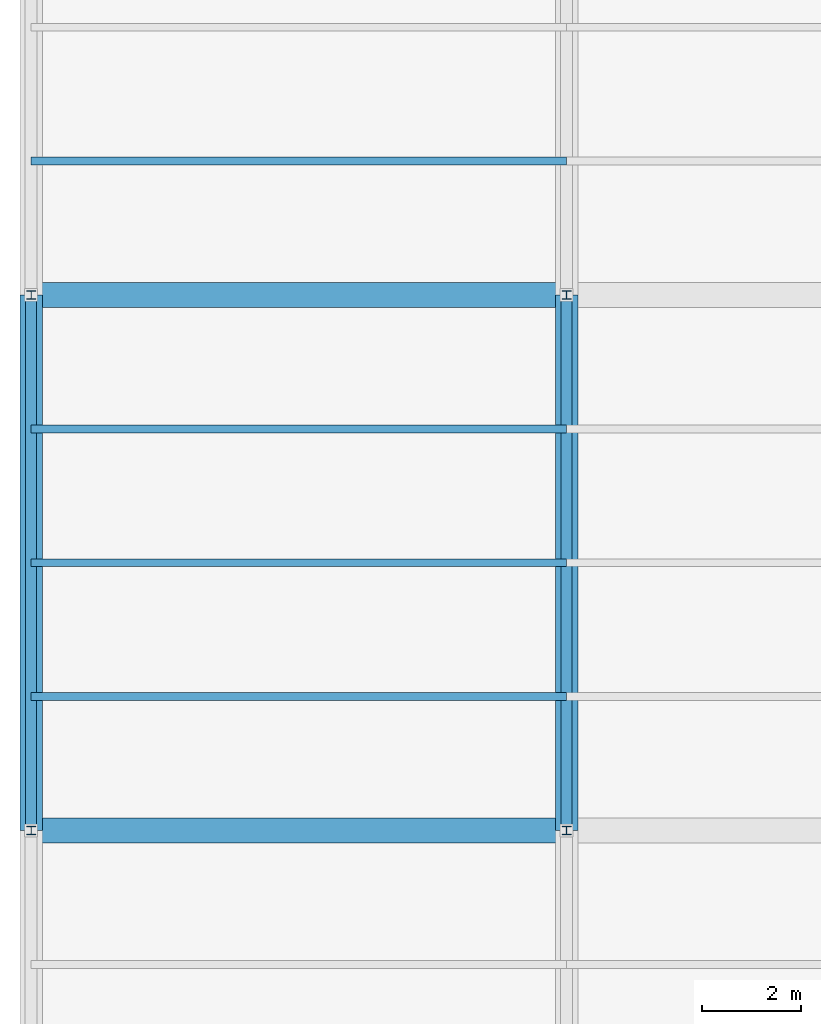
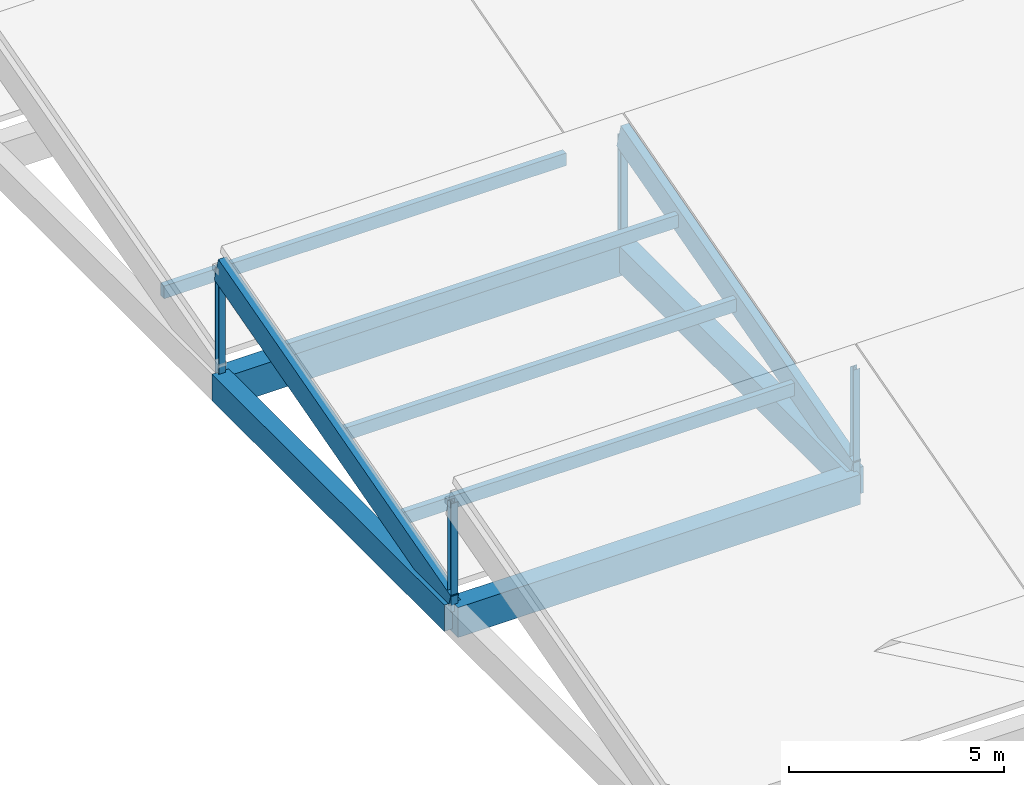
# One storey, part 18 of 112: 10 members, 4 beams.
"""IFC4 building model written with IfcOpenShell, lengths in metres."""

from ifc_helpers import new_model, si_unit, direction, frame, origin, origin_2d, place, context, subcontext, project, spatial, rectangle, i_section, extrude, material, material_profile, profile_set, type_object, element, save


model = new_model("IFC4")

# Units and contexts
model_context = context("Model", 3, precision=1e-05, world=origin(), true_north=direction((0.0, 1.0)))
body_context = subcontext(model_context, "Body", "Model", "MODEL_VIEW")
ifc_project = project(units=[si_unit("LENGTHUNIT", "METRE"), si_unit("AREAUNIT", "SQUARE_METRE"), si_unit("VOLUMEUNIT", "CUBIC_METRE"), si_unit("PLANEANGLEUNIT", "RADIAN"), si_unit("MASSUNIT", "GRAM", prefix="KILO")], contexts=[model_context])

# Site, building, storey
site_placement = place(None, origin())
site = spatial("IfcSite", under=ifc_project, at=site_placement, CompositionType="ELEMENT")
building_placement = place(site_placement, origin())
building = spatial("IfcBuilding", under=site, at=building_placement, Name="Zwinboog Wholesale Market", CompositionType="ELEMENT")
storey_placement = place(building_placement, frame((0.0, 0.0, 19.080078125)))
storey = spatial("IfcBuildingStorey", under=building, at=storey_placement, Name="Roof", CompositionType="ELEMENT", Elevation=19.080078125)

# Beams
ifc_material_1 = material(Name="Precast concrete C45/55", Category="concrete")
ifc_material_profile_1 = material_profile(ifc_material_1, rectangle(XDim=0.5, YDim=0.85009765625, at=origin_2d()), Name="PC 500x850")
ifc_profile_set_1 = profile_set([ifc_material_profile_1], Name="Precast concrete C45/55")
beam_type_1 = type_object("IfcBeamType", Name="BT-03", PredefinedType="BEAM", material=ifc_profile_set_1)
for number, where, z_axis, x_axis, name in (
    (1, (0.0, 64.800048828125, -9.425048828125), (1.0, 0.0, 0.0), (0.0, 1.0, 0.0), "BG-03 (BMG-Roof-0000-0648-1171)"),
    (2, (0.0, 75.60009765625, -9.425048828125), (1.0, 0.0, 0.0), (0.0, 1.0, 0.0), "BG-03 (BMG-Roof-0000-0756-1175)"),
):
    element("IfcBeam", number, at=place(storey_placement, frame(where, z_axis=z_axis, x_axis=x_axis)), inside=storey, type_object=beam_type_1, Name=name, PredefinedType="BEAM", context=body_context, shape_type="SweptSolid", body=[
        extrude(rectangle(XDim=0.5, YDim=0.85009765625, at=origin_2d()), origin(), (0.0, 0.0, 1.0), 10.800048828125),
    ])
ifc_material_profile_2 = material_profile(ifc_material_1, rectangle(XDim=0.449951171875, YDim=0.75, at=origin_2d()), Name="PC 450x750")
ifc_profile_set_2 = profile_set([ifc_material_profile_2], Name="Precast concrete C45/55")
beam_type_2 = type_object("IfcBeamType", Name="BT-04", PredefinedType="BEAM", material=ifc_profile_set_2)
for number, where, z_axis, x_axis, name in (
    (3, (0.0, 64.800048828125, -9.375), (0.0, 1.0, 0.0), (-1.0, 0.0, 0.0), "BG-04 (BMG-Roof-0000-0648-1207)"),
    (4, (10.800048828125, 64.800048828125, -9.375), (0.0, 1.0, 0.0), (-1.0, 0.0, 0.0), "BG-04 (BMG-Roof-0108-0648-1217)"),
):
    element("IfcBeam", number, at=place(storey_placement, frame(where, z_axis=z_axis, x_axis=x_axis)), inside=storey, type_object=beam_type_2, Name=name, PredefinedType="BEAM", context=body_context, shape_type="SweptSolid", body=[
        extrude(rectangle(XDim=0.449951171875, YDim=0.75, at=origin_2d()), origin(), (0.0, 0.0, 1.0), 10.800048828125),
    ])

# Members
ifc_material_2 = material(Name="Steel S355", Category="steel")
ifc_material_profile_3 = material_profile(ifc_material_2, i_section(OverallWidth=0.179931640625, OverallDepth=0.1708984375, WebThickness=0.006103515625, FlangeThickness=0.009521484375, FilletRadius=0.014892578125, at=origin_2d()), Name="HEA 180")
ifc_profile_set_3 = profile_set([ifc_material_profile_3], Name="Steel S355")
member_type_1 = type_object("IfcMemberType", Name="MT-07", PredefinedType="BRACE", material=ifc_profile_set_3)
member_1_placement = place(storey_placement, frame((0.0, 64.800048828125, -9.2001953125), z_axis=(0.0, 0.0, 1.0), x_axis=(1.0, 0.0, 0.0)))
element("IfcMember", 5, at=member_1_placement, inside=storey, type_object=member_type_1, Name="DB-04 (MEM-Roof-0756)", PredefinedType="BRACE", context=body_context, shape_type="SweptSolid", body=[
    extrude(i_section(OverallWidth=0.179931640625, OverallDepth=0.1708984375, WebThickness=0.006103515625, FlangeThickness=0.009521484375, FilletRadius=0.014892578125, at=origin_2d()), origin(), (0.0, 0.0, 1.0), 3.074462890625),
])
member_2_placement = place(storey_placement, frame((10.800048828125, 64.800048828125, -9.2001953125), z_axis=(0.0, 0.0, 1.0), x_axis=(1.0, 0.0, 0.0)))
element("IfcMember", 6, at=member_2_placement, inside=storey, type_object=member_type_1, Name="DB-04 (MEM-Roof-0760)", PredefinedType="BRACE", context=body_context, shape_type="SweptSolid", body=[
    extrude(i_section(OverallWidth=0.179931640625, OverallDepth=0.1708984375, WebThickness=0.006103515625, FlangeThickness=0.009521484375, FilletRadius=0.014892578125, at=origin_2d()), origin(), (0.0, 0.0, 1.0), 3.0869140625),
])
member_3_placement = place(storey_placement, frame((0.0, 75.60009765625, -9.2001953125), z_axis=(0.0, 0.0, 1.0), x_axis=(1.0, 0.0, 0.0)))
element("IfcMember", 7, at=member_3_placement, inside=storey, type_object=member_type_1, Name="DB-04 (MEM-Roof-0774)", PredefinedType="BRACE", context=body_context, shape_type="SweptSolid", body=[
    extrude(i_section(OverallWidth=0.179931640625, OverallDepth=0.1708984375, WebThickness=0.006103515625, FlangeThickness=0.009521484375, FilletRadius=0.014892578125, at=origin_2d()), origin(), (0.0, 0.0, 1.0), 3.134521484375),
])
member_4_placement = place(storey_placement, frame((10.800048828125, 75.60009765625, -9.2001953125), z_axis=(0.0, 0.0, 1.0), x_axis=(1.0, 0.0, 0.0)))
element("IfcMember", 8, at=member_4_placement, inside=storey, type_object=member_type_1, Name="DB-04 (MEM-Roof-0778)", PredefinedType="BRACE", context=body_context, shape_type="SweptSolid", body=[
    extrude(i_section(OverallWidth=0.179931640625, OverallDepth=0.1708984375, WebThickness=0.006103515625, FlangeThickness=0.009521484375, FilletRadius=0.014892578125, at=origin_2d()), origin(), (0.0, 0.0, 1.0), 3.14697265625),
])
ifc_material_3 = material(Name="Glulam GL28h", Category="wood")
ifc_material_profile_4 = material_profile(ifc_material_3, rectangle(XDim=0.219970703125, YDim=0.719970703125, at=origin_2d()), Name="GL28h 220x720")
ifc_profile_set_4 = profile_set([ifc_material_profile_4], Name="Glulam GL28h")
member_type_2 = type_object("IfcMemberType", Name="MT-10", PredefinedType="RAFTER", material=ifc_profile_set_4)
for number, where, z_axis, x_axis, name in (
    (9, (0.0, 64.800048828125, -9.065673828125), (0.0, 0.963518221675, 0.26764274042), (-1.0, 0.0, 0.0), "GR-02 (MEM-Roof-0775)"),
    (10, (10.800048828125, 64.800048828125, -9.05322265625), (0.0, 0.963518221675, 0.26764274042), (-1.0, 0.0, 0.0), "GR-02 (MEM-Roof-0779)"),
):
    element("IfcMember", number, at=place(storey_placement, frame(where, z_axis=z_axis, x_axis=x_axis)), inside=storey, type_object=member_type_2, Name=name, PredefinedType="RAFTER", context=body_context, shape_type="SweptSolid", body=[
        extrude(rectangle(XDim=0.219970703125, YDim=0.719970703125, at=origin_2d()), origin(), (0.0, 0.0, 1.0), 11.208984375),
    ])
ifc_material_profile_5 = material_profile(ifc_material_3, rectangle(XDim=0.159912109375, YDim=0.360107421875, at=origin_2d()), Name="GL28h 160x360")
ifc_profile_set_5 = profile_set([ifc_material_profile_5], Name="Glulam GL28h")
member_type_3 = type_object("IfcMemberType", Name="MT-12", PredefinedType="PURLIN", material=ifc_profile_set_5)
for number, where, z_axis, x_axis, name in (
    (11, (0.0, 67.5, -8.285888671875), (1.0, 0.0, 0.0), (0.0, 1.0, 0.0), "GP-01 (MEM-Roof-0776)"),
    (12, (0.0, 72.89990234375, -6.785888671875), (1.0, 0.0, 0.0), (0.0, 1.0, 0.0), "GP-01 (MEM-Roof-0777)"),
    (13, (0.0, 78.300048828125, -8.345703125), (1.0, 0.0, 0.0), (0.0, 1.0, 0.0), "GP-01 (MEM-Roof-0794)"),
    (14, (0.0, 70.199951171875, -7.535888671875), (1.0, 0.0, 0.0), (0.0, 1.0, 0.0), "GP-01 (MEM-PRL-Roof-0025)"),
):
    element("IfcMember", number, at=place(storey_placement, frame(where, z_axis=z_axis, x_axis=x_axis)), inside=storey, type_object=member_type_3, Name=name, PredefinedType="PURLIN", context=body_context, shape_type="SweptSolid", body=[
        extrude(rectangle(XDim=0.159912109375, YDim=0.360107421875, at=origin_2d()), origin(), (0.0, 0.0, 1.0), 10.800048828125),
    ])

save(model, "model.ifc")
